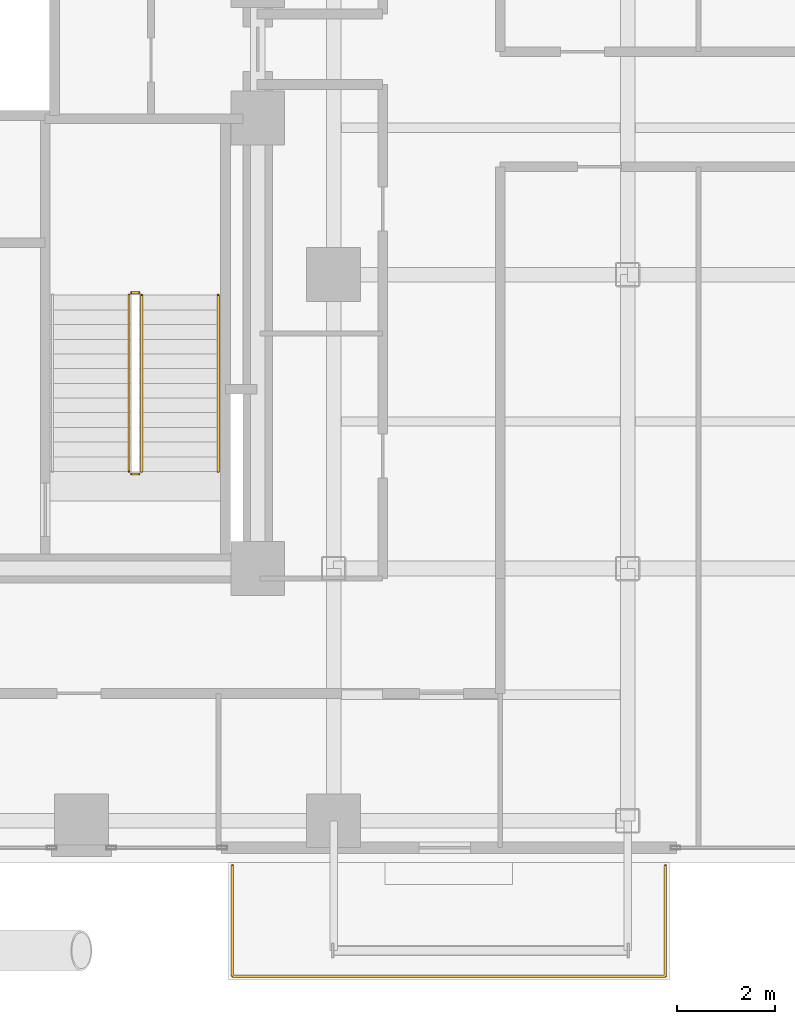
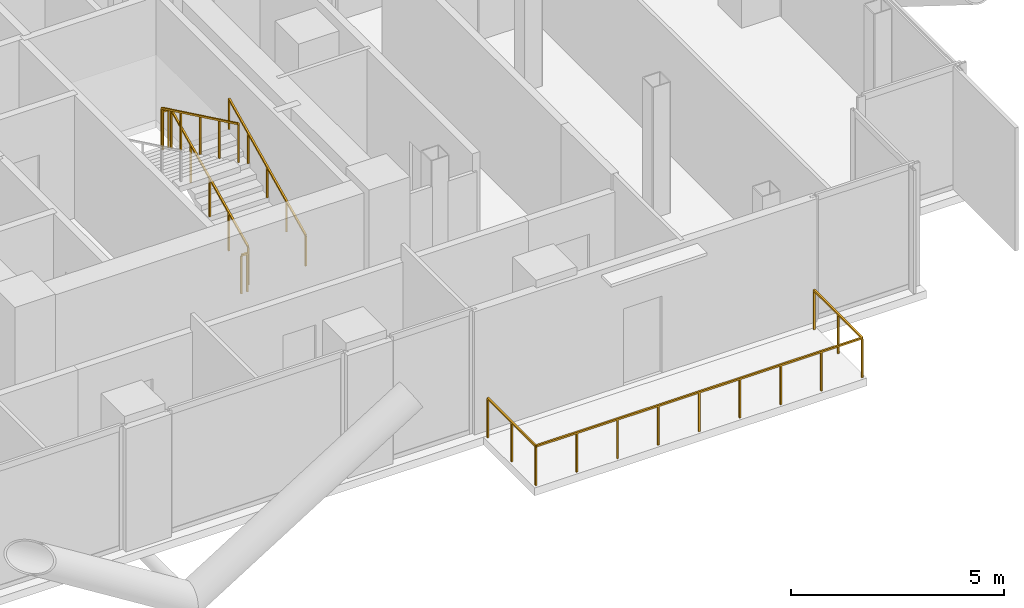
# One storey, part 27 of 28: 6 railings.
"""IFC4 building model written with IfcOpenShell, lengths in metres."""

from ifc_helpers import new_model, si_unit, direction, frame, origin, origin_2d, place, context, subcontext, project, spatial, rectangle, extrude, material, type_object, element, save


model = new_model("IFC4")

# Units and contexts
model_context = context("Model", 3, precision=1e-05, world=origin(), true_north=direction((0.0, 1.0)))
body_context = subcontext(model_context, "Body", "Model", "MODEL_VIEW")
ifc_project = project(units=[si_unit("LENGTHUNIT", "METRE"), si_unit("AREAUNIT", "SQUARE_METRE"), si_unit("VOLUMEUNIT", "CUBIC_METRE"), si_unit("PLANEANGLEUNIT", "RADIAN"), si_unit("MASSUNIT", "GRAM", prefix="KILO"), si_unit("THERMODYNAMICTEMPERATUREUNIT", "KELVIN"), si_unit("POWERUNIT", "WATT")], contexts=[model_context])

# Site, building, storey
site_placement = place(None, origin())
site = spatial("IfcSite", under=ifc_project, at=site_placement, CompositionType="ELEMENT")
building_placement = place(site_placement, origin())
building = spatial("IfcBuilding", under=site, at=building_placement, Name="Svarakhadi Broadcast Tower", CompositionType="ELEMENT")
storey_placement = place(building_placement, frame((0.0, 0.0, 138.14990234375)))
storey = spatial("IfcBuildingStorey", under=building, at=storey_placement, Name="L33", CompositionType="ELEMENT", Elevation=138.14990234375)

# Railings
ifc_material_1 = material(Name="Laminated Structural SentryGlas Balustrade 25.5 mm", Category="glass")
railing_type_1 = type_object("IfcRailingType", Name="Guard_Balcony_GR01", PredefinedType="BALUSTRADE", material=ifc_material_1)
railing_1_placement = place(storey_placement, frame((33.080078125, -0.06005859375, 0.0)))
element("IfcRailing", 1, at=railing_1_placement, inside=storey, type_object=railing_type_1, Name="L33 South Tree Balcony Guard GR-05", PredefinedType="BALUSTRADE", context=body_context, shape_type="SweptSolid", body=[
    extrude(rectangle(XDim=0.048095703125, YDim=0.048095703125, at=origin_2d()), frame((0.0, 0.0, 1.1259765625), z_axis=(0.0, -1.0, 0.0), x_axis=(1.0, 0.0, 0.0)), (0.0, 0.0, 1.0), 2.260009765625),
    extrude(rectangle(XDim=0.048095703125, YDim=0.048095703125, at=origin_2d()), frame((0.0, -2.260009765625, 1.1259765625), z_axis=(1.0, 0.0, 0.0), x_axis=(0.0, 1.0, 0.0)), (0.0, 0.0, 1.0), 8.83984375),
    extrude(rectangle(XDim=0.048095703125, YDim=0.048095703125, at=origin_2d()), frame((8.83984375, -2.260009765625, 1.1259765625), z_axis=(0.0, 1.0, 0.0), x_axis=(-1.0, 0.0, 0.0)), (0.0, 0.0, 1.0), 2.260009765625),
    extrude(rectangle(XDim=0.0419921875, YDim=0.0419921875, at=origin_2d()), origin(), (0.0, 0.0, 1.0), 1.101806640625),
    extrude(rectangle(XDim=0.0419921875, YDim=0.0419921875, at=origin_2d()), frame((0.0, -1.1298828125, 0.0)), (0.0, 0.0, 1.0), 1.101806640625),
    extrude(rectangle(XDim=0.0419921875, YDim=0.0419921875, at=origin_2d()), frame((0.0, -2.260009765625, 0.0)), (0.0, 0.0, 1.0), 1.101806640625),
    extrude(rectangle(XDim=0.0419921875, YDim=0.0419921875, at=origin_2d()), frame((1.10498046875, -2.260009765625, 0.0)), (0.0, 0.0, 1.0), 1.101806640625),
    extrude(rectangle(XDim=0.0419921875, YDim=0.0419921875, at=origin_2d()), frame((2.2099609375, -2.260009765625, 0.0)), (0.0, 0.0, 1.0), 1.101806640625),
    extrude(rectangle(XDim=0.0419921875, YDim=0.0419921875, at=origin_2d()), frame((3.31494140625, -2.260009765625, 0.0)), (0.0, 0.0, 1.0), 1.101806640625),
    extrude(rectangle(XDim=0.0419921875, YDim=0.0419921875, at=origin_2d()), frame((4.419921875, -2.260009765625, 0.0)), (0.0, 0.0, 1.0), 1.101806640625),
    extrude(rectangle(XDim=0.0419921875, YDim=0.0419921875, at=origin_2d()), frame((5.52490234375, -2.260009765625, 0.0)), (0.0, 0.0, 1.0), 1.101806640625),
    extrude(rectangle(XDim=0.0419921875, YDim=0.0419921875, at=origin_2d()), frame((6.6298828125, -2.260009765625, 0.0)), (0.0, 0.0, 1.0), 1.101806640625),
    extrude(rectangle(XDim=0.0419921875, YDim=0.0419921875, at=origin_2d()), frame((7.73486328125, -2.260009765625, 0.0)), (0.0, 0.0, 1.0), 1.101806640625),
    extrude(rectangle(XDim=0.0419921875, YDim=0.0419921875, at=origin_2d()), frame((8.83984375, -2.260009765625, 0.0)), (0.0, 0.0, 1.0), 1.101806640625),
    extrude(rectangle(XDim=0.0419921875, YDim=0.0419921875, at=origin_2d()), frame((8.83984375, -1.1298828125, 0.0)), (0.0, 0.0, 1.0), 1.101806640625),
    extrude(rectangle(XDim=0.0419921875, YDim=0.0419921875, at=origin_2d()), frame((8.83984375, 0.0, 0.0)), (0.0, 0.0, 1.0), 1.101806640625),
])
ifc_material_2 = material(Name="Anodised Bronze Aluminium AA 6063-T6", Category="aluminium")
railing_type_2 = type_object("IfcRailingType", Name="Guard_Stair_GR01", PredefinedType="GUARDRAIL", material=ifc_material_2)
railing_2_placement = place(storey_placement, frame((31.22998046875, 7.97998046875, 0.144287109375)))
element("IfcRailing", 2, at=railing_2_placement, inside=storey, type_object=railing_type_2, Name="L33 ST-02 stair guard 1", PredefinedType="GUARDRAIL", context=body_context, shape_type="SweptSolid", body=[
    extrude(rectangle(XDim=0.048095703125, YDim=0.048095703125, at=origin_2d()), frame((0.0, 0.0, 1.09619140625), z_axis=(0.0, 0.901262522062, 0.433273431364), x_axis=(-1.0, 0.0, 0.0)), (0.0, 0.0, 1.0), 3.994384765625),
    extrude(rectangle(XDim=0.0419921875, YDim=0.0419921875, at=origin_2d()), origin(), (0.0, 0.0, 1.0), 1.072021484375),
    extrude(rectangle(XDim=0.0419921875, YDim=0.0419921875, at=origin_2d()), frame((0.0, 0.89990234375, 0.4326171875)), (0.0, 0.0, 1.0), 1.072021484375),
    extrude(rectangle(XDim=0.0419921875, YDim=0.0419921875, at=origin_2d()), frame((0.0, 1.800048828125, 0.865234375)), (0.0, 0.0, 1.0), 1.072021484375),
    extrude(rectangle(XDim=0.0419921875, YDim=0.0419921875, at=origin_2d()), frame((0.0, 2.7001953125, 1.298095703125)), (0.0, 0.0, 1.0), 1.072021484375),
    extrude(rectangle(XDim=0.0419921875, YDim=0.0419921875, at=origin_2d()), frame((0.0, 3.60009765625, 1.730712890625)), (0.0, 0.0, 1.0), 1.072021484375),
])
railing_3_placement = place(storey_placement, frame((31.179931640625, 11.6298828125, 1.875)))
element("IfcRailing", 3, at=railing_3_placement, inside=storey, type_object=railing_type_2, Name="L33 ST-02 stair guard 2", PredefinedType="GUARDRAIL", context=body_context, shape_type="SweptSolid", body=[
    extrude(rectangle(XDim=0.048095703125, YDim=0.048095703125, at=origin_2d()), frame((0.0, 0.0, 1.09619140625), z_axis=(-1.0, 0.0, 0.0), x_axis=(0.0, -1.0, 0.0)), (0.0, 0.0, 1.0), 0.159912109375),
    extrude(rectangle(XDim=0.0419921875, YDim=0.0419921875, at=origin_2d()), origin(), (0.0, 0.0, 1.0), 1.072021484375),
    extrude(rectangle(XDim=0.0419921875, YDim=0.0419921875, at=origin_2d()), frame((-0.159912109375, 0.0, 0.0)), (0.0, 0.0, 1.0), 1.072021484375),
])
railing_4_placement = place(storey_placement, frame((30.969970703125, 11.580078125, 2.019287109375)))
element("IfcRailing", 4, at=railing_4_placement, inside=storey, type_object=railing_type_2, Name="L33 ST-02 stair guard 3", PredefinedType="GUARDRAIL", context=body_context, shape_type="SweptSolid", body=[
    extrude(rectangle(XDim=0.048095703125, YDim=0.048095703125, at=origin_2d()), frame((0.0, 0.0, 1.09619140625), z_axis=(0.0, -0.901262522062, 0.433273431364), x_axis=(1.0, 0.0, 0.0)), (0.0, 0.0, 1.0), 3.994384765625),
    extrude(rectangle(XDim=0.0419921875, YDim=0.0419921875, at=origin_2d()), origin(), (0.0, 0.0, 1.0), 1.072021484375),
    extrude(rectangle(XDim=0.0419921875, YDim=0.0419921875, at=origin_2d()), frame((0.0, -0.89990234375, 0.4326171875)), (0.0, 0.0, 1.0), 1.072021484375),
    extrude(rectangle(XDim=0.0419921875, YDim=0.0419921875, at=origin_2d()), frame((0.0, -1.800048828125, 0.865234375)), (0.0, 0.0, 1.0), 1.072021484375),
    extrude(rectangle(XDim=0.0419921875, YDim=0.0419921875, at=origin_2d()), frame((0.0, -2.7001953125, 1.298095703125)), (0.0, 0.0, 1.0), 1.072021484375),
    extrude(rectangle(XDim=0.0419921875, YDim=0.0419921875, at=origin_2d()), frame((0.0, -3.60009765625, 1.730712890625)), (0.0, 0.0, 1.0), 1.072021484375),
])
railing_5_placement = place(storey_placement, frame((31.179931640625, 7.929931640625, 0.0)))
element("IfcRailing", 5, at=railing_5_placement, inside=storey, type_object=railing_type_2, Name="L33 ST-02 stair guard 4", PredefinedType="GUARDRAIL", context=body_context, shape_type="SweptSolid", body=[
    extrude(rectangle(XDim=0.048095703125, YDim=0.048095703125, at=origin_2d()), frame((0.0, 0.0, 1.09619140625), z_axis=(-1.0, 0.0, 0.0), x_axis=(0.0, -1.0, 0.0)), (0.0, 0.0, 1.0), 0.159912109375),
    extrude(rectangle(XDim=0.0419921875, YDim=0.0419921875, at=origin_2d()), origin(), (0.0, 0.0, 1.0), 1.072021484375),
    extrude(rectangle(XDim=0.0419921875, YDim=0.0419921875, at=origin_2d()), frame((-0.159912109375, 0.0, 0.0)), (0.0, 0.0, 1.0), 1.072021484375),
])
railing_type_3 = type_object("IfcRailingType", Name="Handrail_Stair_HR01", PredefinedType="HANDRAIL", material=ifc_material_2)
railing_6_placement = place(storey_placement, frame((32.7900390625, 7.97998046875, 0.144287109375)))
element("IfcRailing", 6, at=railing_6_placement, inside=storey, type_object=railing_type_3, Name="L33 ST-02 stair handrail 1", PredefinedType="HANDRAIL", context=body_context, shape_type="SweptSolid", body=[
    extrude(rectangle(XDim=0.048095703125, YDim=0.048095703125, at=origin_2d()), frame((0.0, 0.0, 0.8759765625), z_axis=(0.0, 0.901262522062, 0.433273431364), x_axis=(-1.0, 0.0, 0.0)), (0.0, 0.0, 1.0), 3.994384765625),
    extrude(rectangle(XDim=0.0419921875, YDim=0.0419921875, at=origin_2d()), origin(), (0.0, 0.0, 1.0), 0.851806640625),
    extrude(rectangle(XDim=0.0419921875, YDim=0.0419921875, at=origin_2d()), frame((0.0, 0.89990234375, 0.4326171875)), (0.0, 0.0, 1.0), 0.851806640625),
    extrude(rectangle(XDim=0.0419921875, YDim=0.0419921875, at=origin_2d()), frame((0.0, 1.800048828125, 0.865234375)), (0.0, 0.0, 1.0), 0.851806640625),
    extrude(rectangle(XDim=0.0419921875, YDim=0.0419921875, at=origin_2d()), frame((0.0, 2.7001953125, 1.298095703125)), (0.0, 0.0, 1.0), 0.851806640625),
    extrude(rectangle(XDim=0.0419921875, YDim=0.0419921875, at=origin_2d()), frame((0.0, 3.60009765625, 1.730712890625)), (0.0, 0.0, 1.0), 0.851806640625),
])

save(model, "model.ifc")
